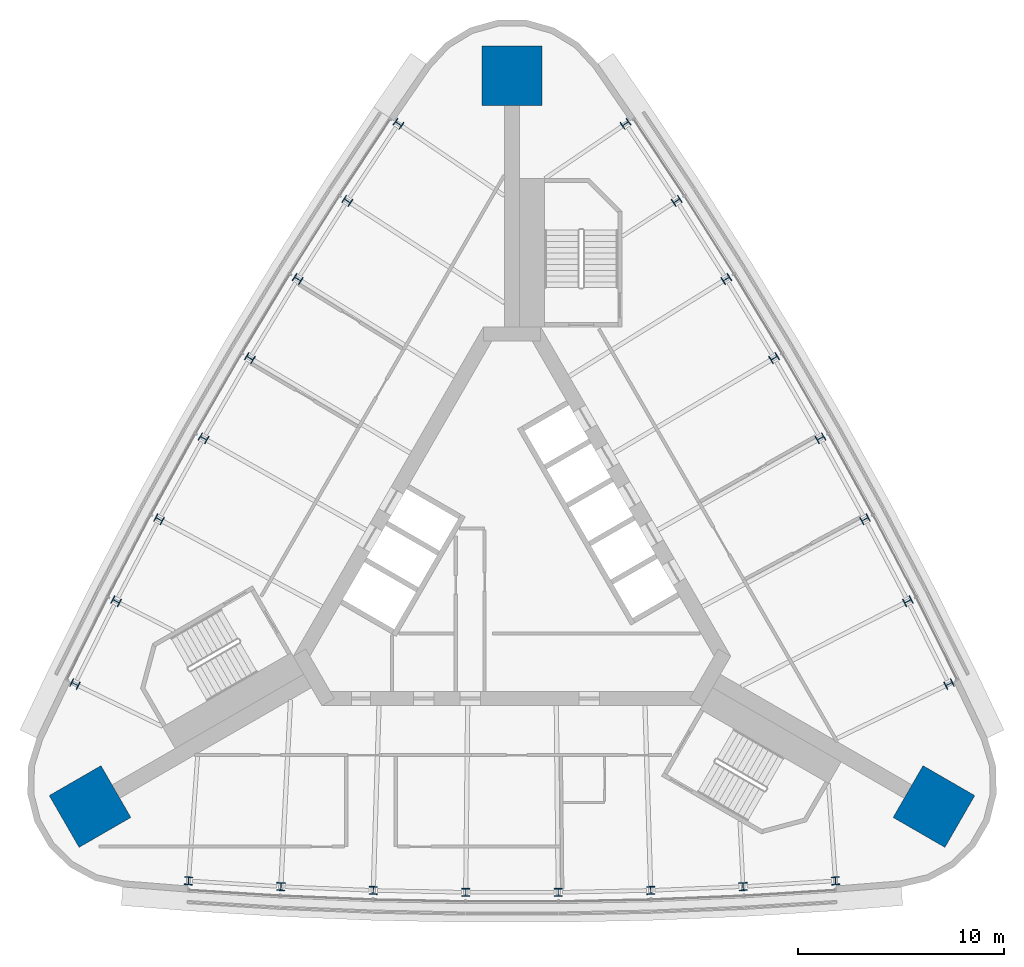
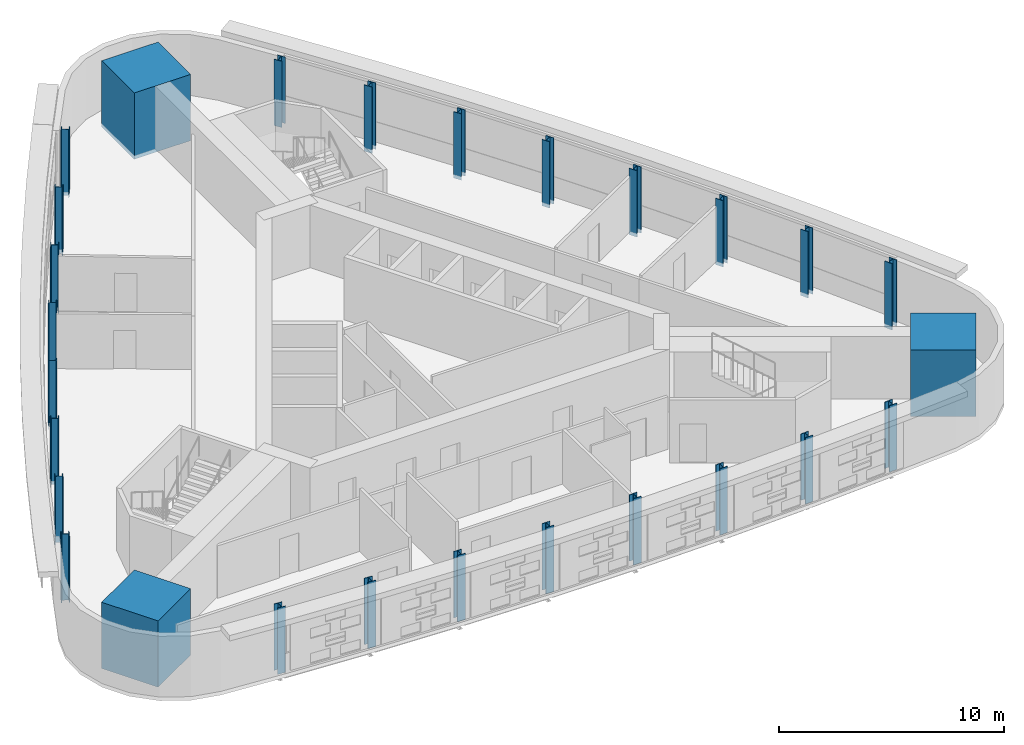
# One storey, part 1 of 12: 27 columns.
"""IFC4 building model written with IfcOpenShell, lengths in metres."""

from ifc_helpers import new_model, si_unit, direction, frame, origin, origin_2d, place, context, subcontext, project, spatial, rectangle, i_section, extrude, material, material_profile, profile_set, type_object, element, save


model = new_model("IFC4")

# Units and contexts
model_context = context("Model", 3, precision=1e-05, world=origin(), true_north=direction((0.0, 1.0)))
body_context = subcontext(model_context, "Body", "Model", "MODEL_VIEW")
ifc_project = project(units=[si_unit("LENGTHUNIT", "METRE"), si_unit("AREAUNIT", "SQUARE_METRE"), si_unit("VOLUMEUNIT", "CUBIC_METRE"), si_unit("PLANEANGLEUNIT", "RADIAN"), si_unit("MASSUNIT", "GRAM", prefix="KILO")], contexts=[model_context])

# Site, building, storey
site_placement = place(None, origin())
site = spatial("IfcSite", under=ifc_project, at=site_placement, CompositionType="ELEMENT")
building_placement = place(site_placement, origin())
building = spatial("IfcBuilding", under=site, at=building_placement, Name="Noor Cloister Tower", CompositionType="ELEMENT")
storey_placement = place(building_placement, frame((0.0, 0.0, 154.5)))
storey = spatial("IfcBuildingStorey", under=building, at=storey_placement, Name="L39", CompositionType="ELEMENT", Elevation=154.5)

# Columns
ifc_material_1 = material(Name="Steel ASTM A992 Gr 50", Category="steel")
ifc_material_profile_1 = material_profile(ifc_material_1, i_section(OverallWidth=0.39892578125, OverallDepth=0.385986328125, WebThickness=0.02099609375, FlangeThickness=0.033203125, FilletRadius=0.01513671875, at=origin_2d()), Name="W360x262")
ifc_profile_set_1 = profile_set([ifc_material_profile_1], Name="Steel ASTM A992 Gr 50")
column_type_1 = type_object("IfcColumnType", Name="Column W360x262", PredefinedType="COLUMN", material=ifc_profile_set_1)
for number, where, z_axis, x_axis, name in (
    (1, (-5.512451171875, 21.30712890625, -0.199951171875), (0.0, 0.0, 1.0), (-0.561460167885, -0.827503764269, 0.0), "Column NW 01 L39"),
    (2, (-7.993896484375, 17.56689453125, -0.199951171875), (0.0, 0.0, 1.0), (-0.544187683748, -0.838963506273, 0.0), "Column NW 02 L39"),
    (3, (-10.3974609375, 13.776123046875, -0.199951171875), (0.0, 0.0, 1.0), (-0.526681381524, -0.850062775538, 0.0), "Column NW 03 L39"),
    (4, (-12.7216796875, 9.936279296875, -0.199951171875), (0.0, 0.0, 1.0), (-0.508948783063, -0.860796803095, 0.0), "Column NW 04 L39"),
    (5, (-14.966064453125, 6.049072265625, -0.199951171875), (0.0, 0.0, 1.0), (-0.490997507445, -0.871160976905, 0.0), "Column NW 05 L39"),
    (6, (-17.129150390625, 2.1162109375, -0.199951171875), (0.0, 0.0, 1.0), (-0.472835267666, -0.881150843869, 0.0), "Column NW 06 L39"),
    (7, (-19.21044921875, -1.860595703125, -0.199951171875), (0.0, 0.0, 1.0), (-0.454469867406, -0.890762111689, 0.0), "Column NW 07 L39"),
    (8, (-21.208740234375, -5.879638671875, -0.199951171875), (0.0, 0.0, 1.0), (-0.435909197642, -0.899990650736, 0.0), "Column NW 08 L39"),
    (9, (-15.6962890625, -15.427490234375, -0.199951171875), (0.0, 0.0, 1.0), (0.997369365526, -0.072486886467, 0.0), "Column S 01 L39"),
    (10, (-11.216552734375, -15.70654296875, -0.199951171875), (0.0, 0.0, 1.0), (0.998657551154, -0.051798605416, 0.0), "Column S 02 L39"),
    (11, (-6.73193359375, -15.892578125, -0.199951171875), (0.0, 0.0, 1.0), (0.99951664919, -0.031088068331, 0.0), "Column S 03 L39"),
    (12, (-2.244140625, -15.985595703125, -0.199951171875), (0.0, 0.0, 1.0), (0.999946290508, -0.01036417381, 0.0), "Column S 04 L39"),
    (13, (2.244140625, -15.985595703125, -0.199951171875), (0.0, 0.0, 1.0), (0.999946290508, 0.01036417381, 0.0), "Column S 05 L39"),
    (14, (6.73193359375, -15.892578125, -0.199951171875), (0.0, 0.0, 1.0), (0.99951664919, 0.031088068331, 0.0), "Column S 06 L39"),
    (15, (11.216552734375, -15.70654296875, -0.199951171875), (0.0, 0.0, 1.0), (0.998657551154, 0.051798605416, 0.0), "Column S 07 L39"),
    (16, (15.6962890625, -15.427490234375, -0.199951171875), (0.0, 0.0, 1.0), (0.997369365526, 0.072486886467, 0.0), "Column S 08 L39"),
    (17, (21.208740234375, -5.879638671875, -0.199951171875), (0.0, 0.0, 1.0), (-0.435909197642, 0.899990650736, 0.0), "Column NE 01 L39"),
    (18, (19.21044921875, -1.860595703125, -0.199951171875), (0.0, 0.0, 1.0), (-0.454469867406, 0.890762111689, 0.0), "Column NE 02 L39"),
    (19, (17.129150390625, 2.1162109375, -0.199951171875), (0.0, 0.0, 1.0), (-0.472835267666, 0.881150843869, 0.0), "Column NE 03 L39"),
    (20, (14.966064453125, 6.049072265625, -0.199951171875), (0.0, 0.0, 1.0), (-0.490997507445, 0.871160976905, 0.0), "Column NE 04 L39"),
    (21, (12.7216796875, 9.936279296875, -0.199951171875), (0.0, 0.0, 1.0), (-0.508948783063, 0.860796803095, 0.0), "Column NE 05 L39"),
    (22, (10.3974609375, 13.776123046875, -0.199951171875), (0.0, 0.0, 1.0), (-0.526681381524, 0.850062775538, 0.0), "Column NE 06 L39"),
    (23, (7.993896484375, 17.56689453125, -0.199951171875), (0.0, 0.0, 1.0), (-0.544187683748, 0.838963506273, 0.0), "Column NE 07 L39"),
    (24, (5.512451171875, 21.30712890625, -0.199951171875), (0.0, 0.0, 1.0), (-0.561460167885, 0.827503764269, 0.0), "Column NE 08 L39"),
):
    element("IfcColumn", number, at=place(storey_placement, frame(where, z_axis=z_axis, x_axis=x_axis)), inside=storey, type_object=column_type_1, Name=name, PredefinedType="COLUMN", context=body_context, shape_type="SweptSolid", body=[
        extrude(i_section(OverallWidth=0.39892578125, OverallDepth=0.385986328125, WebThickness=0.02099609375, FlangeThickness=0.033203125, FilletRadius=0.01513671875, at=origin_2d()), origin(), (0.0, 0.0, 1.0), 3.599853515625),
    ])
ifc_material_2 = material(Name="Concrete C70/85", Category="concrete")
ifc_material_profile_2 = material_profile(ifc_material_2, rectangle(XDim=2.89990234375, YDim=2.89990234375, at=origin_2d()), Name="RC 2900x2900")
ifc_profile_set_2 = profile_set([ifc_material_profile_2], Name="Concrete C70/85")
column_type_2 = type_object("IfcColumnType", Name="Corner pier 2900 x 2900 C70/85", PredefinedType="COLUMN", material=ifc_profile_set_2)
for number, where, z_axis, x_axis, name in (
    (25, (0.0, 23.64208984375, -0.199951171875), (0.0, 0.0, 1.0), (0.0, 1.0, 0.0), "Corner pier N L39"),
    (26, (-20.474609375, -11.821044921875, -0.199951171875), (0.0, 0.0, 1.0), (-0.866025403784, -0.5, 0.0), "Corner pier SW L39"),
    (27, (20.474609375, -11.821044921875, -0.199951171875), (0.0, 0.0, 1.0), (0.866025403784, -0.5, 0.0), "Corner pier SE L39"),
):
    element("IfcColumn", number, at=place(storey_placement, frame(where, z_axis=z_axis, x_axis=x_axis)), inside=storey, type_object=column_type_2, Name=name, PredefinedType="COLUMN", context=body_context, shape_type="SweptSolid", body=[
        extrude(rectangle(XDim=2.89990234375, YDim=2.89990234375, at=origin_2d()), origin(), (0.0, 0.0, 1.0), 3.599853515625),
    ])

save(model, "model.ifc")
